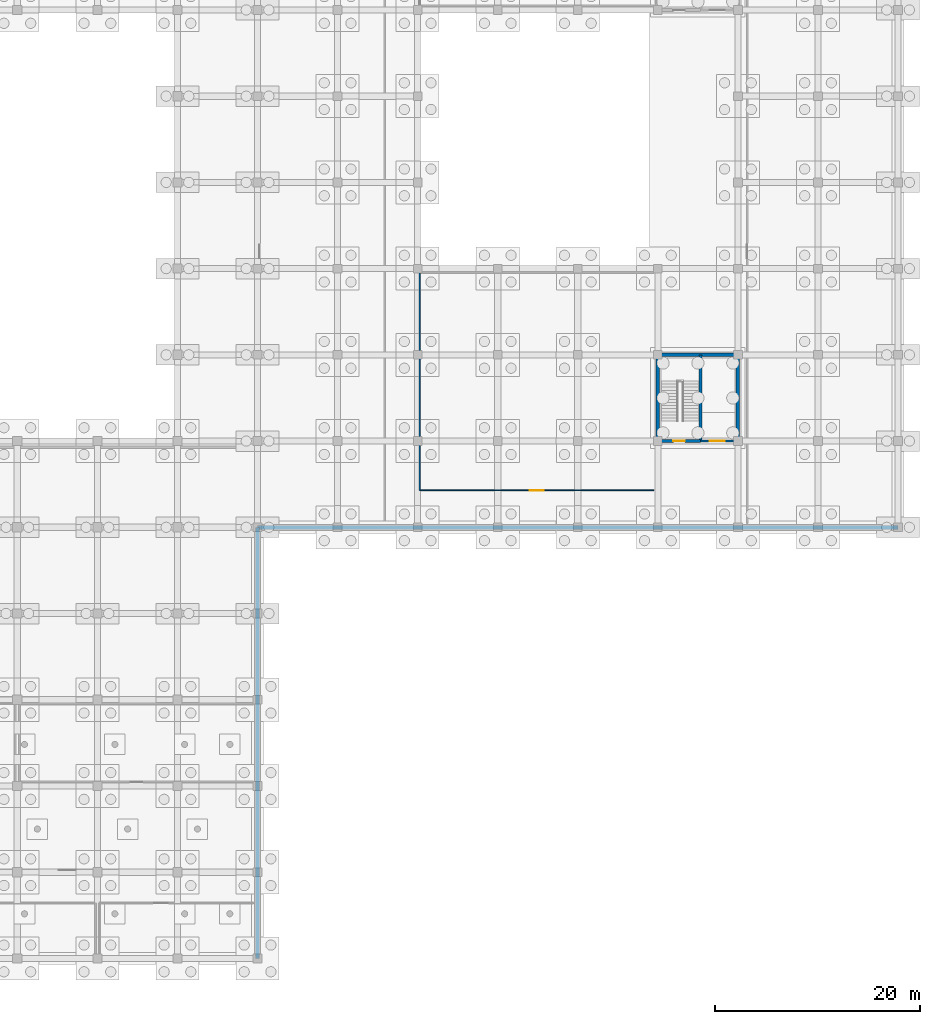
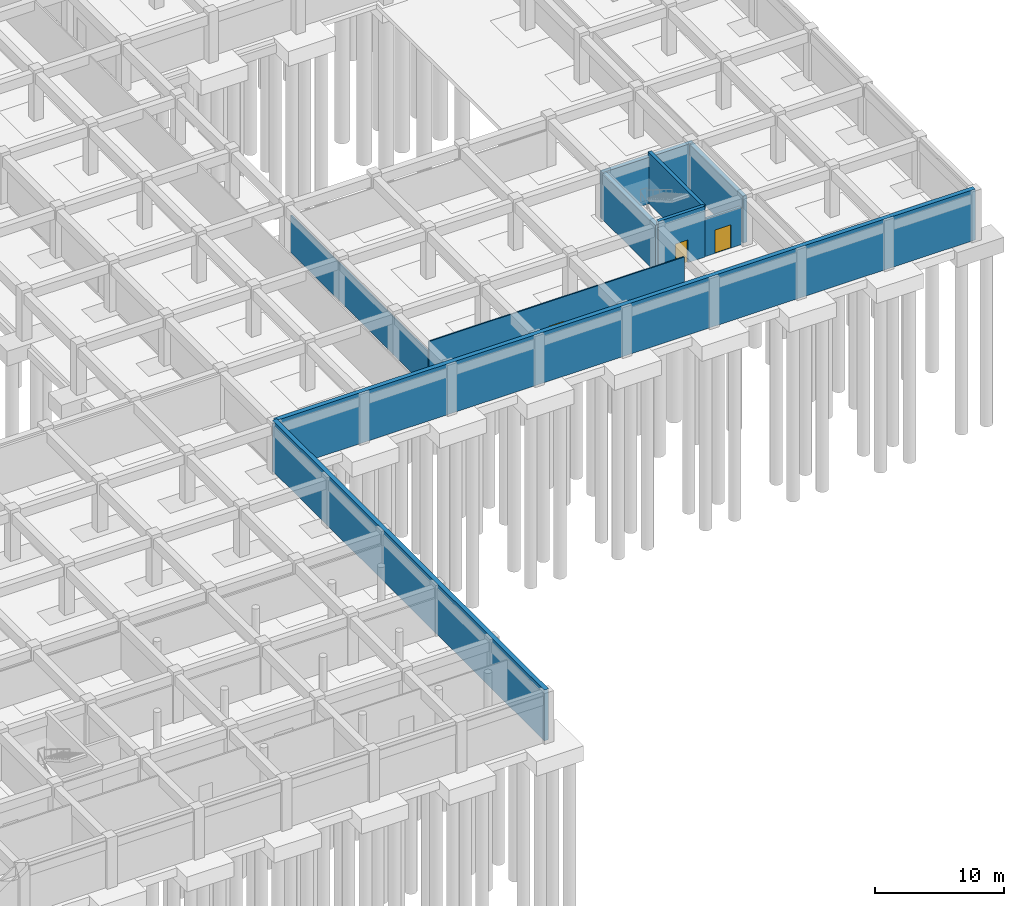
# One storey, part 23 of 31: 10 walls, 3 doors, 3 openings.
"""IFC4 building model written with IfcOpenShell, lengths in metres."""

from ifc_helpers import new_model, si_unit, direction, frame, frame_2d, origin, place, context, subcontext, project, spatial, rectangle, extrude, material, layer, layer_set, type_object, element, fill, save


model = new_model("IFC4")

# Units and contexts
model_context = context("Model", 3, precision=1e-05, world=origin(), true_north=direction((0.0, 1.0)))
body_context = subcontext(model_context, "Body", "Model", "MODEL_VIEW")
ifc_project = project(units=[si_unit("LENGTHUNIT", "METRE"), si_unit("AREAUNIT", "SQUARE_METRE"), si_unit("VOLUMEUNIT", "CUBIC_METRE"), si_unit("PLANEANGLEUNIT", "RADIAN"), si_unit("MASSUNIT", "GRAM", prefix="KILO")], contexts=[model_context])

# Site, building, storey
site_placement = place(None, origin())
site = spatial("IfcSite", under=ifc_project, at=site_placement, CompositionType="ELEMENT")
building_placement = place(site_placement, origin())
building = spatial("IfcBuilding", under=site, at=building_placement, Name="Zizhar Promenade General Hospital", CompositionType="ELEMENT")
storey_placement = place(building_placement, frame((0.0, 0.0, -4.800048828125)))
storey = spatial("IfcBuildingStorey", under=building, at=storey_placement, Name="B1", CompositionType="ELEMENT", Elevation=-4.800048828125)

# Wall, opening, door
ifc_material_1 = material(Name="Concrete C35/45", Category="concrete")
ifc_layer_1 = layer(ifc_material_1, 0.215087890625)
ifc_layer_set_1 = layer_set([ifc_layer_1], Name="Concrete C35/45")
wall_type_1 = type_object("IfcWallType", Name="IW-LOBBY-215", PredefinedType="STANDARD", material=ifc_layer_set_1)
wall_1_placement = place(storey_placement, frame((175.75, 50.39990234375, 0.0), z_axis=(0.0, 0.0, 1.0), x_axis=(1.0, 0.0, 0.0)))
wall_1 = element("IfcWall", 1, at=wall_1_placement, inside=storey, type_object=wall_type_1, Name="Core C9 Lift Lobby South Fire Wall (B1)", PredefinedType="STANDARD", context=body_context, shape_type="SweptSolid", body=[
    extrude(rectangle(XDim=3.2900390625, YDim=0.215087890625, at=frame_2d((1.64501953125, 0.0))), origin(), (0.0, 0.0, 1.0), 3.530029296875),
])
opening_1_placement = place(wall_1_placement, frame((0.925048828125, 0.0, 0.0)))
opening_1 = element("IfcOpeningElement", 2, at=opening_1_placement, cuts=wall_1, Name="Opening D-23", PredefinedType="OPENING", context=body_context, shape_type="SweptSolid", body=[
    extrude(rectangle(XDim=1.43994140625, YDim=2.199951171875, at=frame_2d((0.719970703125, 1.10009765625))), frame((0.0, 0.11767578125, 0.0), z_axis=(0.0, -1.0, 0.0), x_axis=(1.0, 0.0, 0.0)), (0.0, 0.0, 1.0), 0.235107421875),
])
ifc_material_2 = material(Name="Fire-rated timber lift lobby pair", Category="wood")
door_type_1 = type_object("IfcDoorType", Name="DR-LOBBY-PR-144x220", OperationType="DOUBLE_DOOR_SINGLE_SWING", PredefinedType="DOOR", material=ifc_material_2)
door_1_placement = place(opening_1_placement, origin())
door_1 = element("IfcDoor", 3, at=door_1_placement, inside=storey, type_object=door_type_1, Name="Core C9 Protected Lift Lobby Door (B1)", OperationType="DOUBLE_DOOR_SINGLE_SWING", OverallHeight=2.199951171875, OverallWidth=1.43994140625, PredefinedType="DOOR", context=body_context, shape_type="SweptSolid", body=[
    extrude(rectangle(XDim=1.43994140625, YDim=2.199951171875, at=frame_2d((0.719970703125, 1.10009765625))), frame((0.0, 0.02490234375, 0.0), z_axis=(0.0, -1.0, 0.0), x_axis=(1.0, 0.0, 0.0)), (0.0, 0.0, 1.0), 0.050048828125),
])
fill(opening_1, door_1)

ifc_material_3 = material(Name="Clean utility gypsum partition")
ifc_layer_2 = layer(ifc_material_3, 0.114990234375)
ifc_layer_set_2 = layer_set([ifc_layer_2], Name="Clean utility gypsum partition")
wall_type_2 = type_object("IfcWallType", Name="IW-STR-115", PredefinedType="PARTITIONING", material=ifc_layer_set_2)
wall_2_placement = place(storey_placement, frame((148.39990234375, 45.60009765625, 0.0), z_axis=(0.0, 0.0, 1.0), x_axis=(1.0, 0.0, 0.0)))
wall_2 = element("IfcWall", 4, at=wall_2_placement, inside=storey, type_object=wall_type_2, Name="Hospital Bulk Consumables Store S Partition", PredefinedType="PARTITIONING", context=body_context, shape_type="SweptSolid", body=[
    extrude(rectangle(XDim=22.800048828125, YDim=0.114990234375, at=frame_2d((11.39990234375, 0.0))), origin(), (0.0, 0.0, 1.0), 4.4599609375),
])
opening_2_placement = place(wall_2_placement, frame((10.739990234375, 0.0, 0.0)))
opening_2 = element("IfcOpeningElement", 5, at=opening_2_placement, cuts=wall_2, Name="Opening D-26", PredefinedType="OPENING", context=body_context, shape_type="SweptSolid", body=[
    extrude(rectangle(XDim=1.320068359375, YDim=2.14990234375, at=frame_2d((0.66015625, 1.074951171875))), frame((0.0, 0.0673828125, 0.0), z_axis=(0.0, -1.0, 0.0), x_axis=(1.0, 0.0, 0.0)), (0.0, 0.0, 1.0), 0.135009765625),
])
ifc_material_4 = material(Name="Fire-rated timber store leaf", Category="wood")
door_type_2 = type_object("IfcDoorType", Name="DR-STORE-132x215", OperationType="NOTDEFINED", PredefinedType="DOOR", material=ifc_material_4)
door_2_placement = place(opening_2_placement, origin())
door_2 = element("IfcDoor", 6, at=door_2_placement, inside=storey, type_object=door_type_2, Name="Hospital Bulk Consumables Store Door", OperationType="SINGLE_SWING_LEFT", OverallHeight=2.14990234375, OverallWidth=1.320068359375, PredefinedType="DOOR", context=body_context, shape_type="SweptSolid", body=[
    extrude(rectangle(XDim=1.320068359375, YDim=2.14990234375, at=frame_2d((0.66015625, 1.074951171875))), frame((0.0, 0.02490234375, 0.0), z_axis=(0.0, -1.0, 0.0), x_axis=(1.0, 0.0, 0.0)), (0.0, 0.0, 1.0), 0.050048828125),
])
fill(opening_2, door_2)

# Walls
wall_3_placement = place(storey_placement, frame((148.39990234375, 45.60009765625, 0.0), z_axis=(0.0, 0.0, 1.0), x_axis=(0.0, 1.0, 0.0)))
element("IfcWall", 7, at=wall_3_placement, inside=storey, type_object=wall_type_2, Name="Hospital Bulk Consumables Store W Partition", PredefinedType="PARTITIONING", context=body_context, shape_type="SweptSolid", body=[
    extrude(rectangle(XDim=21.199951171875, YDim=0.114990234375, at=frame_2d((10.60009765625, 0.0))), origin(), (0.0, 0.0, 1.0), 3.51513671875),
])
ifc_material_5 = material(Name="Concrete C35/45", Category="concrete")
ifc_layer_3 = layer(ifc_material_5, 0.39990234375)
ifc_layer_set_3 = layer_set([ifc_layer_3], Name="Concrete C35/45")
wall_type_3 = type_object("IfcWallType", Name="WL-BSMT-400", PredefinedType="SOLIDWALL", material=ifc_layer_set_3)
wall_4_placement = place(storey_placement, frame((132.60009765625, 0.0, 0.0), z_axis=(0.0, 0.0, 1.0), x_axis=(0.0, 1.0, 0.0)))
element("IfcWall", 8, at=wall_4_placement, inside=storey, type_object=wall_type_3, Name="Basement Retaining Wall B02", PredefinedType="SOLIDWALL", context=body_context, shape_type="SweptSolid", body=[
    extrude(rectangle(XDim=42.0, YDim=0.39990234375, at=frame_2d((21.0, 0.0))), origin(), (0.0, 0.0, 1.0), 4.800048828125),
])
wall_5_placement = place(storey_placement, frame((132.60009765625, 42.0, 0.0), z_axis=(0.0, 0.0, 1.0), x_axis=(1.0, 0.0, 0.0)))
element("IfcWall", 9, at=wall_5_placement, inside=storey, type_object=wall_type_3, Name="Basement Retaining Wall B03", PredefinedType="SOLIDWALL", context=body_context, shape_type="SweptSolid", body=[
    extrude(rectangle(XDim=62.39990234375, YDim=0.39990234375, at=frame_2d((31.199951171875, 0.0))), origin(), (0.0, 0.0, 1.0), 4.800048828125),
])

# Wall, opening, door
ifc_material_6 = material(Name="Concrete C40/50", Category="concrete")
ifc_layer_4 = layer(ifc_material_6, 0.300048828125)
ifc_layer_set_4 = layer_set([ifc_layer_4], Name="Concrete C40/50")
wall_type_4 = type_object("IfcWallType", Name="WL-CORE-300", PredefinedType="SHEAR", material=ifc_layer_set_4)
wall_6_placement = place(storey_placement, frame((171.60009765625, 50.39990234375, 0.0), z_axis=(0.0, 0.0, 1.0), x_axis=(1.0, 0.0, 0.0)))
wall_6 = element("IfcWall", 10, at=wall_6_placement, inside=storey, type_object=wall_type_4, Name="Core C9 Stair South Fire Wall (B1)", PredefinedType="SHEAR", context=body_context, shape_type="SweptSolid", body=[
    extrude(rectangle(XDim=4.14990234375, YDim=0.300048828125, at=frame_2d((2.074951171875, 0.0))), origin(), (0.0, 0.0, 1.0), 4.800048828125),
])
opening_3_placement = place(wall_6_placement, frame((1.514892578125, 0.0, 0.0)))
opening_3 = element("IfcOpeningElement", 11, at=opening_3_placement, cuts=wall_6, Name="Opening D-21", PredefinedType="OPENING", context=body_context, shape_type="SweptSolid", body=[
    extrude(rectangle(XDim=1.1201171875, YDim=2.14990234375, at=frame_2d((0.56005859375, 1.074951171875))), frame((0.0, 0.16015625, 0.0), z_axis=(0.0, -1.0, 0.0), x_axis=(1.0, 0.0, 0.0)), (0.0, 0.0, 1.0), 0.320068359375),
])
ifc_material_7 = material(Name="Steel S355 protected stair door", Category="steel")
door_type_3 = type_object("IfcDoorType", Name="DR-STAIR-112x215", OperationType="NOTDEFINED", PredefinedType="DOOR", material=ifc_material_7)
door_3_placement = place(opening_3_placement, origin())
door_3 = element("IfcDoor", 12, at=door_3_placement, inside=storey, type_object=door_type_3, Name="Exit Stair ST-09 Door (B1)", OperationType="SINGLE_SWING_LEFT", OverallHeight=2.14990234375, OverallWidth=1.1201171875, PredefinedType="DOOR", context=body_context, shape_type="SweptSolid", body=[
    extrude(rectangle(XDim=1.1201171875, YDim=2.14990234375, at=frame_2d((0.56005859375, 1.074951171875))), frame((0.0, 0.02490234375, 0.0), z_axis=(0.0, -1.0, 0.0), x_axis=(1.0, 0.0, 0.0)), (0.0, 0.0, 1.0), 0.050048828125),
])
fill(opening_3, door_3)

# Walls
wall_7_placement = place(storey_placement, frame((175.75, 50.39990234375, 0.0), z_axis=(0.0, 0.0, 1.0), x_axis=(0.0, 1.0, 0.0)))
element("IfcWall", 13, at=wall_7_placement, inside=storey, type_object=wall_type_4, Name="Core C9 Stair-Shaft Separation Wall (B1)", PredefinedType="SHEAR", context=body_context, shape_type="SweptSolid", body=[
    extrude(rectangle(XDim=8.400146484375, YDim=0.300048828125, at=frame_2d((4.2001953125, 0.0))), origin(), (0.0, 0.0, 1.0), 4.800048828125),
])
ifc_material_8 = material(Name="Concrete C40/50", Category="concrete")
ifc_layer_5 = layer(ifc_material_8, 0.35009765625)
ifc_layer_set_5 = layer_set([ifc_layer_5], Name="Concrete C40/50")
wall_type_5 = type_object("IfcWallType", Name="WL-CORE-350", PredefinedType="SHEAR", material=ifc_layer_set_5)
wall_8_placement = place(storey_placement, frame((171.425048828125, 58.800048828125, 0.0), z_axis=(0.0, 0.0, 1.0), x_axis=(1.0, 0.0, 0.0)))
element("IfcWall", 14, at=wall_8_placement, inside=storey, type_object=wall_type_5, Name="Core C9 North Shear Wall B1", PredefinedType="SHEAR", context=body_context, shape_type="SweptSolid", body=[
    extrude(rectangle(XDim=8.14990234375, YDim=0.35009765625, at=frame_2d((4.074951171875, 0.0))), origin(), (0.0, 0.0, 1.0), 4.400146484375),
])
for number, where, z_axis, x_axis, name in (
    (15, (171.60009765625, 50.39990234375, 0.0), (0.0, 0.0, 1.0), (0.0, 1.0, 0.0), "Core C9 West Shear Wall B1"),
    (16, (179.39990234375, 50.39990234375, 0.0), (0.0, 0.0, 1.0), (0.0, 1.0, 0.0), "Core C9 East Shear Wall B1"),
):
    element("IfcWall", number, at=place(storey_placement, frame(where, z_axis=z_axis, x_axis=x_axis)), inside=storey, type_object=wall_type_5, Name=name, PredefinedType="SHEAR", context=body_context, shape_type="SweptSolid", body=[
        extrude(rectangle(XDim=8.400146484375, YDim=0.35009765625, at=frame_2d((4.2001953125, 0.0))), origin(), (0.0, 0.0, 1.0), 4.400146484375),
    ])

save(model, "model.ifc")
